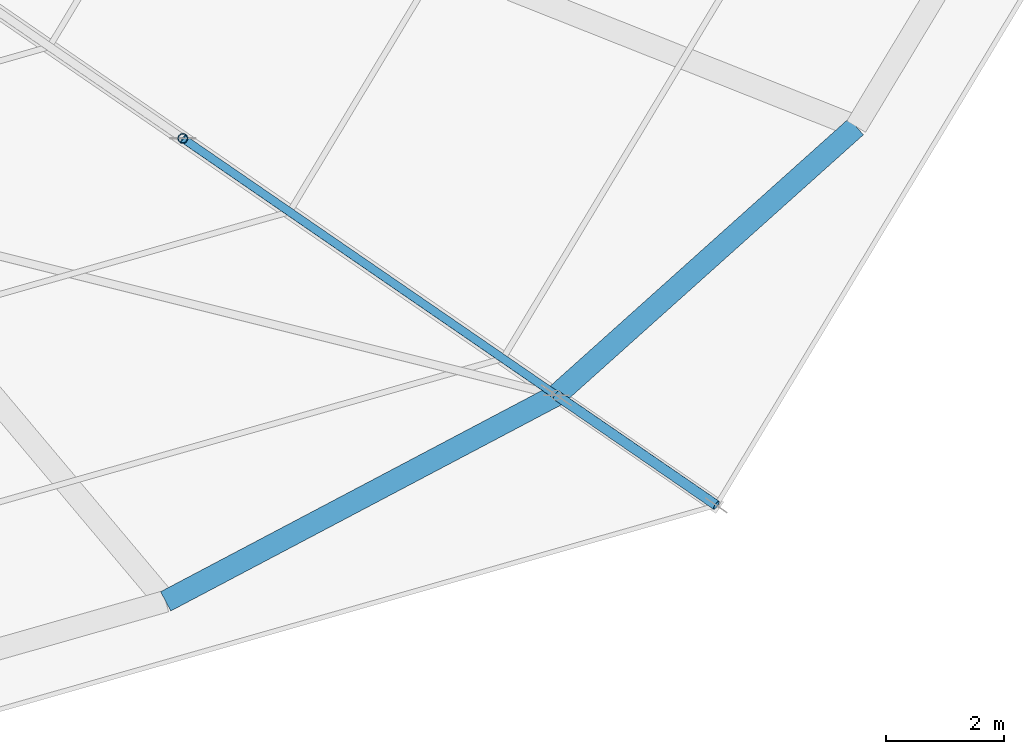
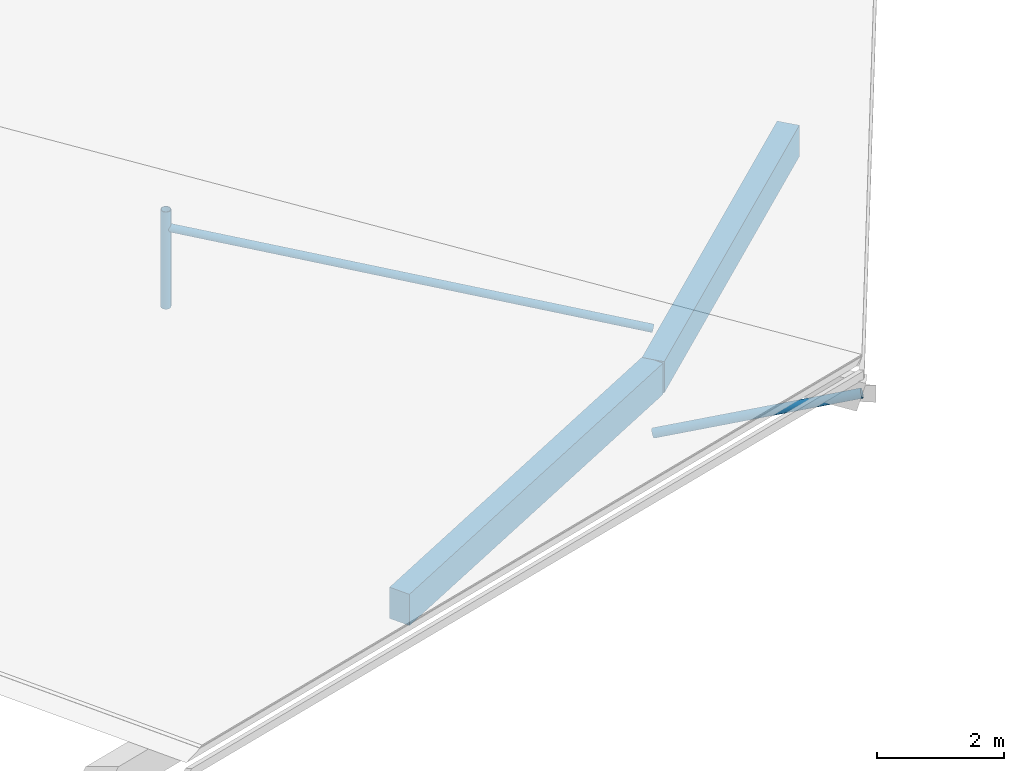
# One storey, part 27 of 66: 3 members, 2 beams.
"""IFC4 building model written with IfcOpenShell, lengths in metres."""

from ifc_helpers import new_model, si_unit, direction, frame, origin, origin_2d, place, context, subcontext, project, spatial, rectangle, hollow_circle, extrude, material, material_profile, profile_set, type_object, element, save


model = new_model("IFC4")

# Units and contexts
model_context = context("Model", 3, precision=1e-05, world=origin(), true_north=direction((0.0, 1.0)))
body_context = subcontext(model_context, "Body", "Model", "MODEL_VIEW")
ifc_project = project(units=[si_unit("LENGTHUNIT", "METRE"), si_unit("AREAUNIT", "SQUARE_METRE"), si_unit("VOLUMEUNIT", "CUBIC_METRE"), si_unit("PLANEANGLEUNIT", "RADIAN"), si_unit("MASSUNIT", "GRAM", prefix="KILO")], contexts=[model_context])

# Site, building, storey
site_placement = place(None, origin())
site = spatial("IfcSite", under=ifc_project, at=site_placement, CompositionType="ELEMENT")
building_placement = place(site_placement, origin())
building = spatial("IfcBuilding", under=site, at=building_placement, Name="Zornivar Specialist Clinic", CompositionType="ELEMENT")
storey_placement = place(building_placement, frame((0.0, 0.0, 16.0)))
storey = spatial("IfcBuildingStorey", under=building, at=storey_placement, Name="L04", CompositionType="ELEMENT", Elevation=16.0)

# Beams
ifc_material_1 = material(Name="Concrete C30/37", Category="concrete")
ifc_material_profile_1 = material_profile(ifc_material_1, rectangle(XDim=0.3701171875, YDim=0.60009765625, at=origin_2d()), Name="RC 370x600")
ifc_profile_set_1 = profile_set([ifc_material_profile_1], Name="Concrete C30/37")
beam_type = type_object("IfcBeamType", Name="BM-RC-SPANDREL-370x600", PredefinedType="SPANDREL", material=ifc_profile_set_1)
beam_1_placement = place(storey_placement, frame((109.60009765625, 38.547119140625, -0.5400390625), z_axis=(0.884425099405, 0.466682165443, 0.0), x_axis=(-0.466682165443, 0.884425099405, 0.0)))
element("IfcBeam", 1, at=beam_1_placement, inside=storey, type_object=beam_type, Name="bm:V1:L04:outring:20", PredefinedType="SPANDREL", context=body_context, shape_type="SweptSolid", body=[
    extrude(rectangle(XDim=0.3701171875, YDim=0.60009765625, at=origin_2d()), origin(), (0.0, 0.0, 1.0), 7.492919921875),
])
beam_2_placement = place(storey_placement, frame((116.22705078125, 42.0439453125, -0.5400390625), z_axis=(0.744835335723, 0.667248321585, 0.0), x_axis=(-0.667248321585, 0.744835335723, 0.0)))
element("IfcBeam", 2, at=beam_2_placement, inside=storey, type_object=beam_type, Name="bm:V1:L04:outring:21", PredefinedType="SPANDREL", context=body_context, shape_type="SweptSolid", body=[
    extrude(rectangle(XDim=0.3701171875, YDim=0.60009765625, at=origin_2d()), origin(), (0.0, 0.0, 1.0), 6.828369140625),
])

# Members
ifc_material_2 = material(Name="Steel S355J2", Category="steel")
ifc_material_profile_2 = material_profile(ifc_material_2, hollow_circle(Radius=0.06982421875, WallThickness=0.010009765625, at=origin_2d()), Name="CHS 139.7x10")
ifc_profile_set_2 = profile_set([ifc_material_profile_2], Name="Steel S355J2")
member_type_1 = type_object("IfcMemberType", Name="MEM-DIAG-CHS140H", PredefinedType="BRACE", material=ifc_profile_set_2)
member_1_placement = place(storey_placement, frame((116.22705078125, 42.0439453125, 0.360107421875), z_axis=(-0.808259490543, 0.555678399749, 0.19477708284), x_axis=(-0.566528822887, -0.824041924199, 0.0)))
element("IfcMember", 3, at=member_1_placement, inside=storey, type_object=member_type_1, Name="mem:V1:L04:diag1:7", PredefinedType="BRACE", context=body_context, shape_type="SweptSolid", body=[
    extrude(hollow_circle(Radius=0.06982421875, WallThickness=0.010009765625, at=origin_2d()), origin(), (0.0, 0.0, 1.0), 7.839111328125),
])
ifc_material_3 = material(Name="Steel S355J2", Category="steel")
ifc_material_profile_3 = material_profile(ifc_material_3, hollow_circle(Radius=0.084228515625, WallThickness=0.010009765625, at=origin_2d()), Name="CHS 168.3x10")
ifc_profile_set_3 = profile_set([ifc_material_profile_3], Name="Steel S355J2")
member_type_2 = type_object("IfcMemberType", Name="MEM-STRUT-CHS168", PredefinedType="STRUT", material=ifc_profile_set_3)
member_2_placement = place(storey_placement, frame((116.22705078125, 42.0439453125, -1.64990234375), z_axis=(0.791785482655, -0.544494926786, 0.276768900277), x_axis=(0.566629450792, 0.823972733466, 0.0)))
element("IfcMember", 4, at=member_2_placement, inside=storey, type_object=member_type_2, Name="mem:V1:L04:ebrace:7", PredefinedType="STRUT", context=body_context, shape_type="SweptSolid", body=[
    extrude(hollow_circle(Radius=0.084228515625, WallThickness=0.010009765625, at=origin_2d()), origin(), (0.0, 0.0, 1.0), 3.4287109375),
])
member_3_placement = place(storey_placement, frame((109.89111328125, 46.39990234375, 0.360107421875), z_axis=(0.0, 0.0, 1.0), x_axis=(1.0, 0.0, 0.0)))
element("IfcMember", 5, at=member_3_placement, inside=storey, type_object=member_type_2, Name="mem:V1:L04:vert1:7", PredefinedType="STRUT", context=body_context, shape_type="SweptSolid", body=[
    extrude(hollow_circle(Radius=0.084228515625, WallThickness=0.010009765625, at=origin_2d()), origin(), (0.0, 0.0, 1.0), 1.866943359375),
])

save(model, "model.ifc")
